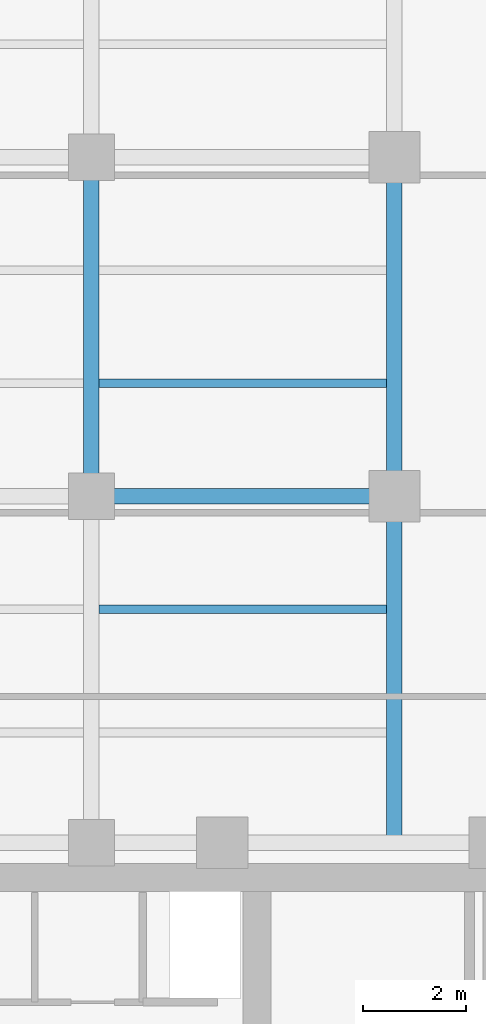
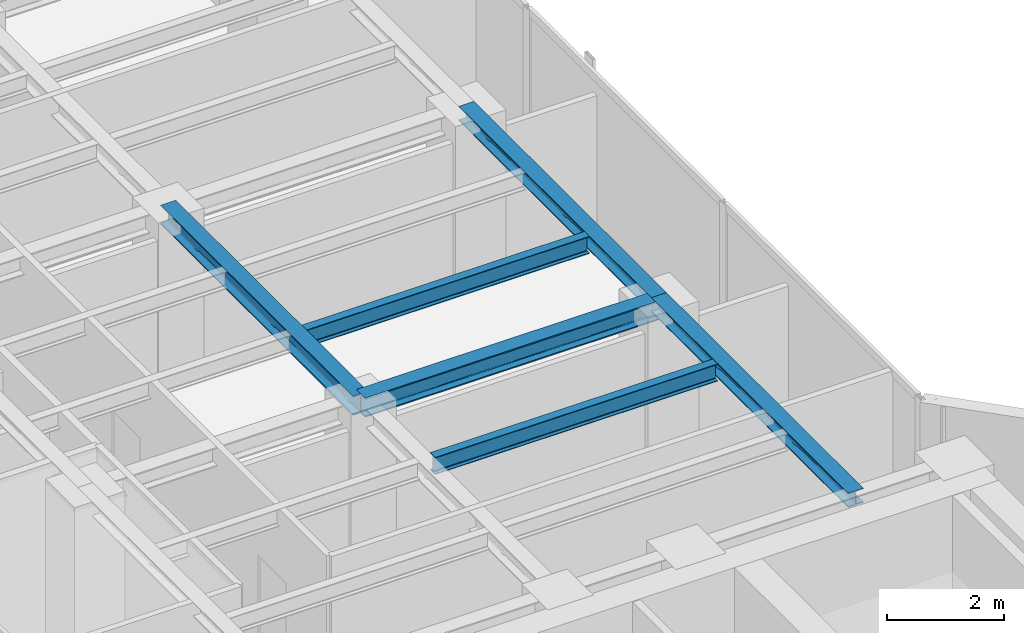
# One storey, part 9 of 24: 6 beams.
"""IFC4 building model written with IfcOpenShell, lengths in metres."""

from ifc_helpers import new_model, si_unit, direction, frame, origin, origin_2d, place, context, subcontext, project, spatial, i_section, extrude, material, material_profile, profile_set, type_object, element, save


model = new_model("IFC4")

# Units and contexts
model_context = context("Model", 3, precision=1e-05, world=origin(), true_north=direction((0.0, 1.0)))
body_context = subcontext(model_context, "Body", "Model", "MODEL_VIEW")
ifc_project = project(units=[si_unit("LENGTHUNIT", "METRE"), si_unit("AREAUNIT", "SQUARE_METRE"), si_unit("VOLUMEUNIT", "CUBIC_METRE"), si_unit("PLANEANGLEUNIT", "RADIAN"), si_unit("MASSUNIT", "GRAM", prefix="KILO")], contexts=[model_context])

# Site, building, storey
site_placement = place(None, origin())
site = spatial("IfcSite", under=ifc_project, at=site_placement, CompositionType="ELEMENT")
building_placement = place(site_placement, origin())
building = spatial("IfcBuilding", under=site, at=building_placement, Name="Kolvaren Waterfront Exchange", CompositionType="ELEMENT")
storey_placement = place(building_placement, frame((0.0, 0.0, 238.699951171875)))
storey = spatial("IfcBuildingStorey", under=building, at=storey_placement, Name="L61", CompositionType="ELEMENT", Elevation=238.699951171875)

# Beams
ifc_material = material(Name="Steel S355", Category="steel")
ifc_material_profile_1 = material_profile(ifc_material, i_section(OverallWidth=0.300048828125, OverallDepth=0.300048828125, WebThickness=0.010986328125, FlangeThickness=0.01904296875, FilletRadius=0.027099609375, at=origin_2d()), Name="HEB300")
ifc_profile_set_1 = profile_set([ifc_material_profile_1], Name="Steel S355")
beam_type_1 = type_object("IfcBeamType", Name="STR-BM-HEB300", PredefinedType="SPANDREL", material=ifc_profile_set_1)
beam_1_placement = place(storey_placement, frame((18.800048828125, 24.449951171875, 3.41015625), z_axis=(0.0, 1.0, 0.0), x_axis=(-1.0, 0.0, 0.0)))
element("IfcBeam", 1, at=beam_1_placement, inside=storey, type_object=beam_type_1, Name="L61 north-arm edge beam 1", PredefinedType="SPANDREL", context=body_context, shape_type="SweptSolid", body=[
    extrude(i_section(OverallWidth=0.300048828125, OverallDepth=0.300048828125, WebThickness=0.010986328125, FlangeThickness=0.01904296875, FilletRadius=0.027099609375, at=origin_2d()), origin(), (0.0, 0.0, 1.0), 6.75),
])
beam_2_placement = place(storey_placement, frame((18.800048828125, 31.199951171875, 3.41015625), z_axis=(0.0, 1.0, 0.0), x_axis=(-1.0, 0.0, 0.0)))
element("IfcBeam", 2, at=beam_2_placement, inside=storey, type_object=beam_type_1, Name="L61 north-arm edge beam 2", PredefinedType="SPANDREL", context=body_context, shape_type="SweptSolid", body=[
    extrude(i_section(OverallWidth=0.300048828125, OverallDepth=0.300048828125, WebThickness=0.010986328125, FlangeThickness=0.01904296875, FilletRadius=0.027099609375, at=origin_2d()), origin(), (0.0, 0.0, 1.0), 6.60009765625),
])
ifc_material_profile_2 = material_profile(ifc_material, i_section(OverallWidth=0.300048828125, OverallDepth=0.39990234375, WebThickness=0.013427734375, FlangeThickness=0.02392578125, FilletRadius=0.027099609375, at=origin_2d()), Name="HEB400")
ifc_profile_set_2 = profile_set([ifc_material_profile_2], Name="Steel S355")
beam_type_2 = type_object("IfcBeamType", Name="STR-BM-HEB400", PredefinedType="BEAM", material=ifc_profile_set_2)
beam_3_placement = place(storey_placement, frame((12.89990234375, 31.199951171875, 3.360107421875), z_axis=(1.0, 0.0, 0.0), x_axis=(0.0, 1.0, 0.0)))
element("IfcBeam", 3, at=beam_3_placement, inside=storey, type_object=beam_type_2, Name="L61 north-arm girder 2B", PredefinedType="BEAM", context=body_context, shape_type="SweptSolid", body=[
    extrude(i_section(OverallWidth=0.300048828125, OverallDepth=0.39990234375, WebThickness=0.013427734375, FlangeThickness=0.02392578125, FilletRadius=0.027099609375, at=origin_2d()), origin(), (0.0, 0.0, 1.0), 5.900146484375),
])
beam_4_placement = place(storey_placement, frame((12.89990234375, 31.199951171875, 3.360107421875), z_axis=(0.0, 1.0, 0.0), x_axis=(-1.0, 0.0, 0.0)))
element("IfcBeam", 4, at=beam_4_placement, inside=storey, type_object=beam_type_2, Name="L61 north-arm edge beam 2", PredefinedType="BEAM", context=body_context, shape_type="SweptSolid", body=[
    extrude(i_section(OverallWidth=0.300048828125, OverallDepth=0.39990234375, WebThickness=0.013427734375, FlangeThickness=0.02392578125, FilletRadius=0.027099609375, at=origin_2d()), origin(), (0.0, 0.0, 1.0), 6.60009765625),
])
ifc_material_profile_3 = material_profile(ifc_material, i_section(OverallWidth=0.169921875, OverallDepth=0.360107421875, WebThickness=0.008056640625, FlangeThickness=0.0126953125, FilletRadius=0.01806640625, at=origin_2d()), Name="IPE360")
ifc_profile_set_3 = profile_set([ifc_material_profile_3], Name="Steel S355")
beam_type_3 = type_object("IfcBeamType", Name="STR-BM-IPE360", PredefinedType="JOIST", material=ifc_profile_set_3)
for number, where, z_axis, x_axis, name in (
    (5, (13.052001953125, 29.0, 3.380126953125), (1.0, 0.0, 0.0), (0.0, 1.0, 0.0), "L61 north-arm composite joist 2B"),
    (6, (13.052001953125, 33.39990234375, 3.380126953125), (1.0, 0.0, 0.0), (0.0, 1.0, 0.0), "L61 north-arm composite joist 3B"),
):
    element("IfcBeam", number, at=place(storey_placement, frame(where, z_axis=z_axis, x_axis=x_axis)), inside=storey, type_object=beam_type_3, Name=name, PredefinedType="JOIST", context=body_context, shape_type="SweptSolid", body=[
        extrude(i_section(OverallWidth=0.169921875, OverallDepth=0.360107421875, WebThickness=0.008056640625, FlangeThickness=0.0126953125, FilletRadius=0.01806640625, at=origin_2d()), origin(), (0.0, 0.0, 1.0), 5.595947265625),
    ])

save(model, "model.ifc")
